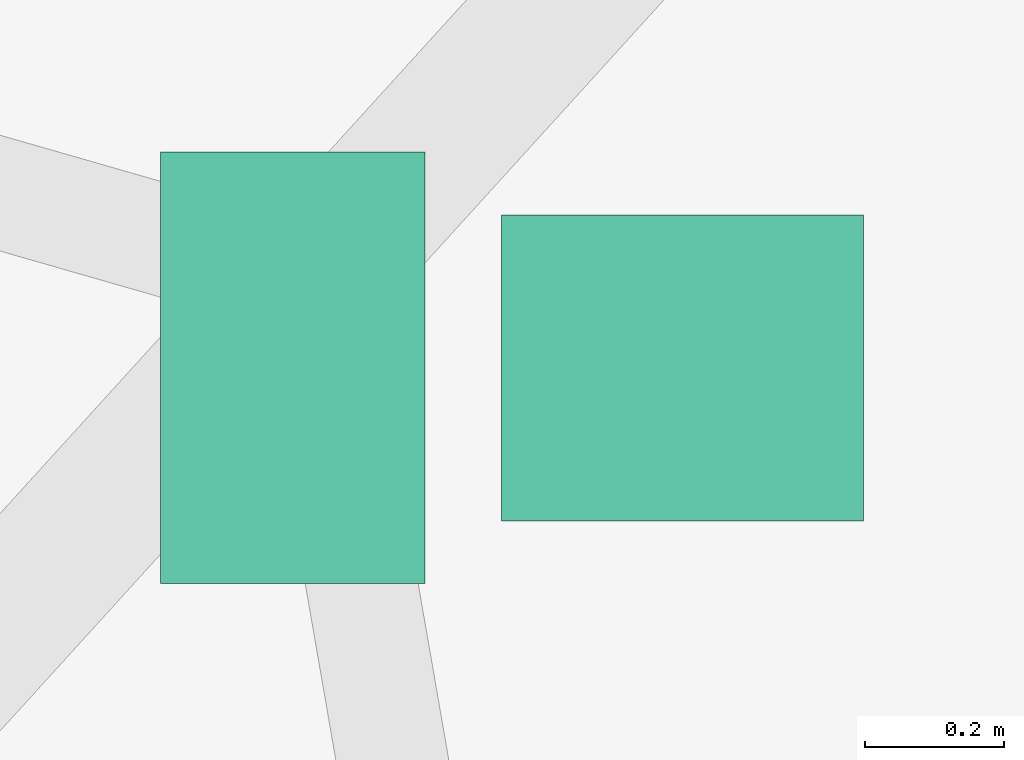
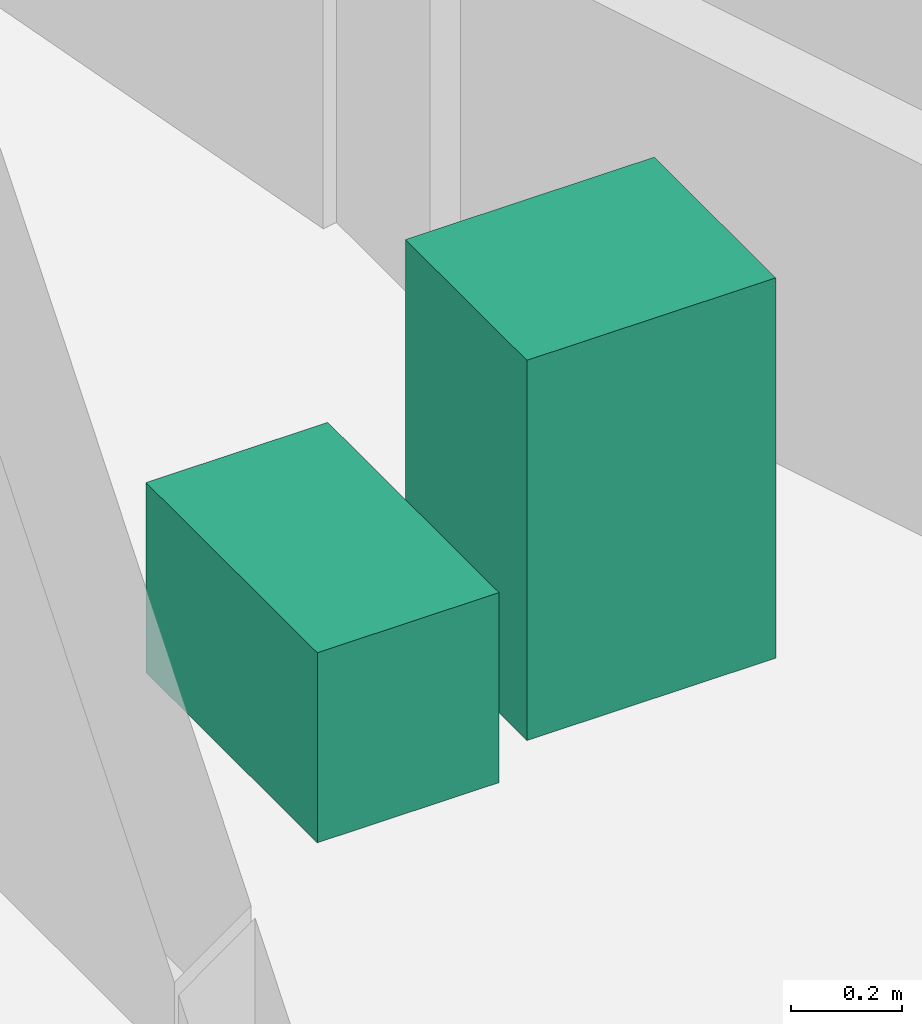
# One storey, part 12 of 12: 2 sanitary terminals.
"""IFC4 building model written with IfcOpenShell, lengths in metres."""

from ifc_helpers import new_model, si_unit, direction, frame, origin, origin_2d, place, context, subcontext, project, spatial, rectangle, extrude, source, transform, mapped, material, type_object, element, save


model = new_model("IFC4")

# Units and contexts
model_context = context("Model", 3, precision=1e-05, world=origin(), true_north=direction((0.0, 1.0)))
body_context = subcontext(model_context, "Body", "Model", "MODEL_VIEW")
ifc_project = project(units=[si_unit("LENGTHUNIT", "METRE"), si_unit("AREAUNIT", "SQUARE_METRE"), si_unit("VOLUMEUNIT", "CUBIC_METRE"), si_unit("PLANEANGLEUNIT", "RADIAN"), si_unit("MASSUNIT", "GRAM", prefix="KILO")], contexts=[model_context])

# Site, building, storey
site_placement = place(None, origin())
site = spatial("IfcSite", under=ifc_project, at=site_placement, CompositionType="ELEMENT")
building_placement = place(site_placement, origin())
building = spatial("IfcBuilding", under=site, at=building_placement, Name="Qafzar Sky-Pleat Residences", CompositionType="ELEMENT")
storey_placement = place(building_placement, frame((0.0, 0.0, 224.39990234375)))
storey = spatial("IfcBuildingStorey", under=building, at=storey_placement, Name="L67", CompositionType="ELEMENT", Elevation=224.39990234375)

# Sanitary terminals
ifc_material = material(Name="Vitreous china sanitaryware")
sanitary_terminal_type_1 = type_object("IfcSanitaryTerminalType", Name="SAN-WC-PAN", PredefinedType="TOILETPAN", material=ifc_material)
shared_shape_1 = source(origin(), body_context, "Body", "SweptSolid", [
    extrude(rectangle(XDim=0.3798828125, YDim=0.6201171875, at=origin_2d()), origin(), (0.0, 0.0, 1.0), 0.419921875),
])
sanitary_terminal_1_placement = place(storey_placement, frame((38.70361328125, 35.1015625, 0.000244140625), z_axis=(0.0, 0.0, 1.0), x_axis=(1.0, 0.0, 0.0)))
element("IfcSanitaryTerminal", 1, at=sanitary_terminal_1_placement, inside=storey, type_object=sanitary_terminal_type_1, Name="L67 Accessible Shared Washroom WC Pan", PredefinedType="TOILETPAN", context=body_context, shape_type="MappedRepresentation", body=[
    mapped(shared_shape_1, transform((0.0, 0.0, 0.0), x_axis=(1.0, 0.0, 0.0), y_axis=(0.0, 1.0, 0.0), z_axis=(0.0, 0.0, 1.0), scale=1.0)),
])
sanitary_terminal_type_2 = type_object("IfcSanitaryTerminalType", Name="SAN-BASIN", PredefinedType="WASHHANDBASIN", material=ifc_material)
shared_shape_2 = source(origin(), body_context, "Body", "SweptSolid", [
    extrude(rectangle(XDim=0.52001953125, YDim=0.43994140625, at=origin_2d()), origin(), (0.0, 0.0, 1.0), 0.840087890625),
])
sanitary_terminal_2_placement = place(storey_placement, frame((39.263671875, 35.1015625, 0.0), z_axis=(0.0, 0.0, 1.0), x_axis=(1.0, 0.0, 0.0)))
element("IfcSanitaryTerminal", 2, at=sanitary_terminal_2_placement, inside=storey, type_object=sanitary_terminal_type_2, Name="L67 Accessible Shared Washroom Pedestal Washbasin", PredefinedType="WASHHANDBASIN", context=body_context, shape_type="MappedRepresentation", body=[
    mapped(shared_shape_2, transform((0.0, 0.0, 0.0), x_axis=(1.0, 0.0, 0.0), y_axis=(0.0, 1.0, 0.0), z_axis=(0.0, 0.0, 1.0), scale=1.0)),
])

save(model, "model.ifc")
